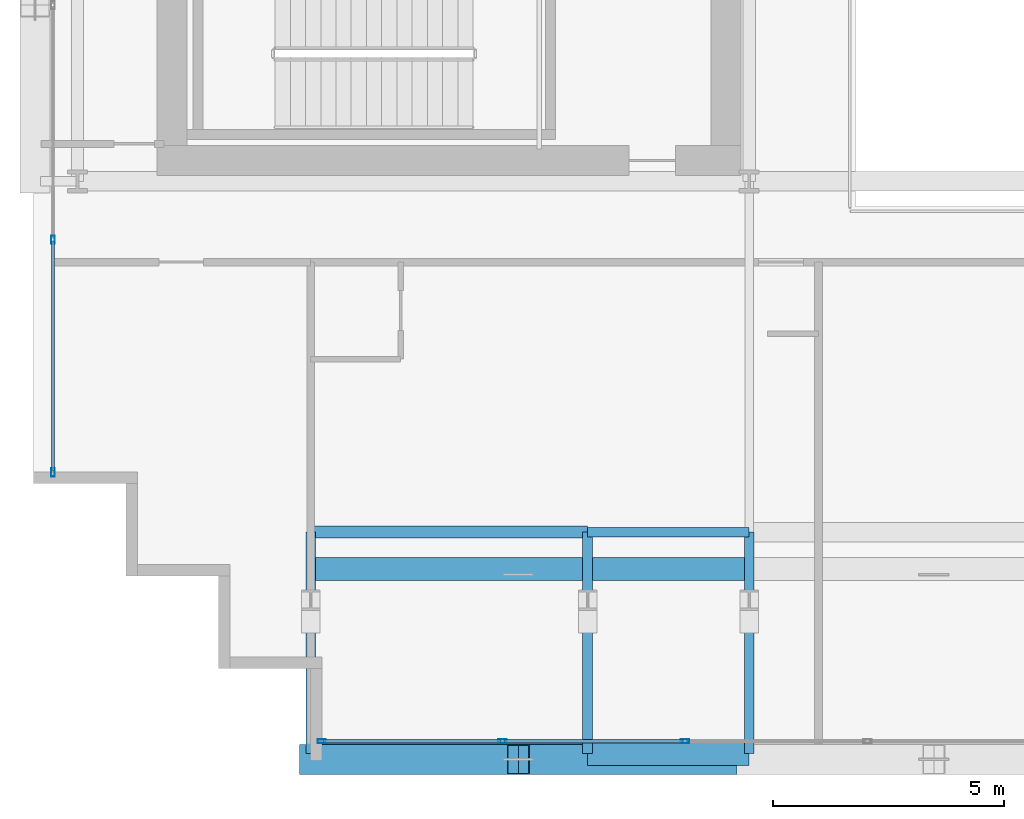
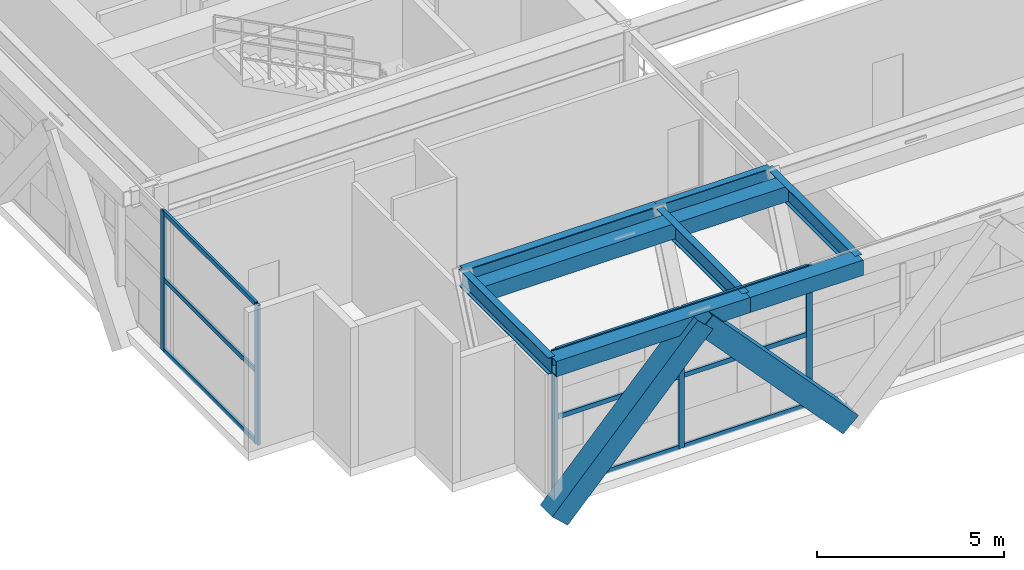
# One storey, part 2 of 35: 16 members, 9 beams, 2 elements without a shape of their own.
"""IFC4 building model written with IfcOpenShell, lengths in metres."""

from ifc_helpers import new_model, si_unit, direction, frame, origin, origin_2d, place, context, subcontext, project, spatial, hollow_rectangle, i_section, extrude, source, transform, mapped, material, layer, layer_set, material_profile, profile_set, type_object, element, aggregate, save


model = new_model("IFC4")

# Units and contexts
model_context = context("Model", 3, precision=1e-05, world=origin(), true_north=direction((0.0, 1.0)))
body_context = subcontext(model_context, "Body", "Model", "MODEL_VIEW")
ifc_project = project(units=[si_unit("LENGTHUNIT", "METRE"), si_unit("AREAUNIT", "SQUARE_METRE"), si_unit("VOLUMEUNIT", "CUBIC_METRE"), si_unit("PLANEANGLEUNIT", "RADIAN"), si_unit("MASSUNIT", "GRAM", prefix="KILO")], contexts=[model_context])

# Site, building, storey
site_placement = place(None, origin())
site = spatial("IfcSite", under=ifc_project, at=site_placement, CompositionType="ELEMENT")
building_placement = place(site_placement, origin())
building = spatial("IfcBuilding", under=site, at=building_placement, Name="Ocotamira Hotel", CompositionType="ELEMENT")
storey_placement = place(building_placement, frame((0.0, 0.0, 158.39990234375)))
storey = spatial("IfcBuildingStorey", under=building, at=storey_placement, Name="L39", CompositionType="ELEMENT", Elevation=158.39990234375)

# Beams
ifc_material_1 = material(Name="Steel ASTM A992 Grade 50", Category="steel")
ifc_material_profile_1 = material_profile(ifc_material_1, i_section(OverallWidth=0.256103515625, OverallDepth=0.693115234375, WebThickness=0.014404296875, FlangeThickness=0.023681640625, FilletRadius=0.01611328125, at=origin_2d()), Name="W27X114")
ifc_profile_set_1 = profile_set([ifc_material_profile_1], Name="Steel ASTM A992 Grade 50")
beam_type_1 = type_object("IfcBeamType", Name="BM-PRIM-W27X114", PredefinedType="BEAM", material=ifc_profile_set_1)
shared_shape_1 = source(origin(), body_context, "Body", "SweptSolid", [
    extrude(i_section(OverallWidth=0.256103515625, OverallDepth=0.693115234375, WebThickness=0.014404296875, FlangeThickness=0.023681640625, FilletRadius=0.01611328125, at=origin_2d()), origin(), (0.0, 0.0, 1.0), 6.0),
])
beam_1_placement = place(storey_placement, frame((14.0, 6.949951171875, 4.2236328125), z_axis=(1.0, 0.0, 0.0), x_axis=(0.0, 1.0, 0.0)))
element("IfcBeam", 1, at=beam_1_placement, inside=storey, type_object=beam_type_1, Name="L39 Girder Y6.95 X14-20", PredefinedType="BEAM", context=body_context, shape_type="MappedRepresentation", body=[
    mapped(shared_shape_1, transform((0.0, 0.0, 0.0), scale=1.0)),
])
ifc_material_profile_2 = material_profile(ifc_material_1, i_section(OverallWidth=0.2099609375, OverallDepth=0.537109375, WebThickness=0.010986328125, FlangeThickness=0.017333984375, FilletRadius=0.012939453125, at=origin_2d()), Name="W21X68")
ifc_profile_set_2 = profile_set([ifc_material_profile_2], Name="Steel ASTM A992 Grade 50")
beam_type_2 = type_object("IfcBeamType", Name="BM-SEC-W21X68", PredefinedType="JOIST", material=ifc_profile_set_2)
shared_shape_2 = source(origin(), body_context, "Body", "SweptSolid", [
    extrude(i_section(OverallWidth=0.2099609375, OverallDepth=0.537109375, WebThickness=0.010986328125, FlangeThickness=0.017333984375, FilletRadius=0.012939453125, at=origin_2d()), origin(), (0.0, 0.0, 1.0), 3.5),
])
beam_2_placement = place(storey_placement, frame((20.0, 6.949951171875, 4.301513671875), z_axis=(1.0, 0.0, 0.0), x_axis=(0.0, 1.0, 0.0)))
element("IfcBeam", 2, at=beam_2_placement, inside=storey, type_object=beam_type_2, Name="L39 Girder Y6.95 X20-23.5", PredefinedType="JOIST", context=body_context, shape_type="MappedRepresentation", body=[
    mapped(shared_shape_2, transform((0.0, 0.0, 0.0), scale=1.0)),
])
ifc_material_2 = material(Name="Steel ASTM A500 Grade C", Category="steel")
ifc_material_profile_3 = material_profile(ifc_material_2, hollow_rectangle(XDim=0.5, YDim=0.5, WallThickness=0.02001953125, at=origin_2d()), Name="HSS500X500X20")
ifc_profile_set_3 = profile_set([ifc_material_profile_3], Name="Steel ASTM A500 Grade C")
beam_type_3 = type_object("IfcBeamType", Name="BM-SPAN-HSS500", PredefinedType="USERDEFINED", material=ifc_profile_set_3)
shared_shape_3 = source(origin(), body_context, "Body", "SweptSolid", [
    extrude(hollow_rectangle(XDim=0.5, YDim=0.5, WallThickness=0.02001953125, at=origin_2d()), origin(), (0.0, 0.0, 1.0), 6.0),
])
for number, where, z_axis, x_axis, name in (
    (3, (14.0, 6.14990234375, 4.320068359375), (1.0, 0.0, 0.0), (0.0, 1.0, 0.0), "L39 Inner Setback Spandrel S X14"),
    (4, (14.0, 2.14990234375, 4.320068359375), (1.0, 0.0, 0.0), (0.0, 1.0, 0.0), "L39 Edge Spandrel S X14-20"),
):
    element("IfcBeam", number, at=place(storey_placement, frame(where, z_axis=z_axis, x_axis=x_axis)), inside=storey, type_object=beam_type_3, Name=name, ObjectType="SPANDREL", PredefinedType="USERDEFINED", context=body_context, shape_type="MappedRepresentation", body=[
        mapped(shared_shape_3, transform((0.0, 0.0, 0.0), scale=1.0)),
    ])
shared_shape_4 = source(origin(), body_context, "Body", "SweptSolid", [
    extrude(hollow_rectangle(XDim=0.5, YDim=0.5, WallThickness=0.02001953125, at=origin_2d()), origin(), (0.0, 0.0, 1.0), 3.5),
])
for number, where, z_axis, x_axis, name in (
    (5, (20.0, 6.14990234375, 4.320068359375), (1.0, 0.0, 0.0), (0.0, 1.0, 0.0), "L39 Inner Setback Spandrel S X20"),
    (6, (20.0, 2.14990234375, 4.320068359375), (1.0, 0.0, 0.0), (0.0, 1.0, 0.0), "L39 Edge Spandrel S X20-23.5"),
):
    element("IfcBeam", number, at=place(storey_placement, frame(where, z_axis=z_axis, x_axis=x_axis)), inside=storey, type_object=beam_type_3, Name=name, ObjectType="SPANDREL", PredefinedType="USERDEFINED", context=body_context, shape_type="MappedRepresentation", body=[
        mapped(shared_shape_4, transform((0.0, 0.0, 0.0), scale=1.0)),
    ])
shared_shape_5 = source(origin(), body_context, "Body", "SweptSolid", [
    extrude(i_section(OverallWidth=0.2099609375, OverallDepth=0.537109375, WebThickness=0.010986328125, FlangeThickness=0.017333984375, FilletRadius=0.012939453125, at=origin_2d()), origin(), (0.0, 0.0, 1.0), 4.800048828125),
])
for number, where, z_axis, x_axis, name in (
    (7, (14.0, 6.949951171875, 4.301513671875), (0.0, -1.0, 0.0), (1.0, 0.0, 0.0), "L39 South Edge Header X14"),
    (8, (20.0, 6.949951171875, 4.301513671875), (0.0, -1.0, 0.0), (1.0, 0.0, 0.0), "L39 South Edge Header X20"),
    (9, (23.5, 6.949951171875, 4.301513671875), (0.0, -1.0, 0.0), (1.0, 0.0, 0.0), "L39 South Edge Header X23.5"),
):
    element("IfcBeam", number, at=place(storey_placement, frame(where, z_axis=z_axis, x_axis=x_axis)), inside=storey, type_object=beam_type_2, Name=name, PredefinedType="JOIST", context=body_context, shape_type="MappedRepresentation", body=[
        mapped(shared_shape_5, transform((0.0, 0.0, 0.0), scale=1.0)),
    ])

# Members
ifc_material_3 = material(Name="Pale-metal coated steel ASTM A913 Grade 65", Category="steel")
ifc_material_profile_4 = material_profile(ifc_material_3, hollow_rectangle(XDim=0.64990234375, YDim=0.64990234375, WallThickness=0.02197265625, at=origin_2d()), Name="BOX650X650X22")
ifc_profile_set_4 = profile_set([ifc_material_profile_4], Name="Pale-metal coated steel ASTM A913 Grade 65")
member_type_1 = type_object("IfcMemberType", Name="MEM-EXO-BOX650", PredefinedType="BRACE", material=ifc_profile_set_4)
shared_shape_6 = source(origin(), body_context, "Body", "SweptSolid", [
    extrude(hollow_rectangle(XDim=0.64990234375, YDim=0.64990234375, WallThickness=0.02197265625, at=origin_2d()), origin(), (0.0, 0.0, 1.0), 6.615966796875),
])
for number, where, z_axis, x_axis, name in (
    (10, (14.0, 2.030029296875, -0.52978515625), (0.680172214763, 0.0, 0.73305235711), (0.0, 1.0, 0.0), "L39 Exoskeleton Diagrid S0.1"),
    (11, (23.0, 2.030029296875, -0.52978515625), (-0.680172214763, 0.0, 0.73305235711), (0.0, -1.0, 0.0), "L39 Exoskeleton Diagrid S0.2"),
):
    element("IfcMember", number, at=place(storey_placement, frame(where, z_axis=z_axis, x_axis=x_axis)), inside=storey, type_object=member_type_1, Name=name, PredefinedType="BRACE", context=body_context, shape_type="MappedRepresentation", body=[
        mapped(shared_shape_6, transform((0.0, 0.0, 0.0), scale=1.0)),
    ])

# Curtain wall, members
ifc_material_4 = material(Name="Anodised pale-metal aluminium and solar glass", Category="aluminium")
ifc_layer = layer(ifc_material_4, 0.239990234375)
ifc_layer_set = layer_set([ifc_layer], Name="Anodised pale-metal aluminium and solar glass")
curtain_wall_type = type_object("IfcCurtainWallType", Name="CW-SYS5-SKY", PredefinedType="NOTDEFINED", material=ifc_layer_set)
curtain_wall_1_placement = place(storey_placement, origin())
curtain_wall_1 = element("IfcCurtainWall", 12, at=curtain_wall_1_placement, inside=storey, type_object=curtain_wall_type, Name="L39 Curtain Wall CW-5 CW-L39-S1", PredefinedType="NOTDEFINED")
ifc_material_5 = material(Name="Anodised pale-metal aluminium 6063-T6", Category="aluminium")
ifc_material_profile_5 = material_profile(ifc_material_5, hollow_rectangle(XDim=0.074951171875, YDim=0.14990234375, WallThickness=0.006103515625, at=origin_2d()), Name="HSS150X75X6")
ifc_profile_set_5 = profile_set([ifc_material_profile_5], Name="Anodised pale-metal aluminium 6063-T6")
member_type_2 = type_object("IfcMemberType", Name="CWT-150X75", PredefinedType="USERDEFINED", material=ifc_profile_set_5)
shared_shape_7 = source(origin(), body_context, "Body", "SweptSolid", [
    extrude(hollow_rectangle(XDim=0.074951171875, YDim=0.14990234375, WallThickness=0.006103515625, at=origin_2d()), origin(), (0.0, 0.0, 1.0), 3.83544921875),
])
member_1_placement = place(storey_placement, frame((14.280029296875, 2.419921875, 0.03759765625), z_axis=(1.0, 0.0, 0.0), x_axis=(0.0, 1.0, 0.0)))
member_1 = element("IfcMember", 13, at=member_1_placement, type_object=member_type_2, Name="CW-5 transom 1.1", ObjectType="TRANSOM", PredefinedType="USERDEFINED", context=body_context, shape_type="MappedRepresentation", body=[
    mapped(shared_shape_7, transform((0.0, 0.0, 0.0), scale=1.0)),
])
member_2_placement = place(storey_placement, frame((14.280029296875, 2.419921875, 2.35009765625), z_axis=(1.0, 0.0, 0.0), x_axis=(0.0, 1.0, 0.0)))
member_2 = element("IfcMember", 14, at=member_2_placement, type_object=member_type_2, Name="CW-5 transom 1.2", ObjectType="TRANSOM", PredefinedType="USERDEFINED", context=body_context, shape_type="MappedRepresentation", body=[
    mapped(shared_shape_7, transform((0.0, 0.0, 0.0), scale=1.0)),
])
member_3_placement = place(storey_placement, frame((14.280029296875, 2.419921875, 4.53271484375), z_axis=(1.0, 0.0, 0.0), x_axis=(0.0, 1.0, 0.0)))
member_3 = element("IfcMember", 15, at=member_3_placement, type_object=member_type_2, Name="CW-5 transom 1.3", ObjectType="TRANSOM", PredefinedType="USERDEFINED", context=body_context, shape_type="MappedRepresentation", body=[
    mapped(shared_shape_7, transform((0.0, 0.0, 0.0), scale=1.0)),
])
shared_shape_8 = source(origin(), body_context, "Body", "SweptSolid", [
    extrude(hollow_rectangle(XDim=0.074951171875, YDim=0.14990234375, WallThickness=0.006103515625, at=origin_2d()), origin(), (0.0, 0.0, 1.0), 3.87548828125),
])
member_4_placement = place(storey_placement, frame((18.195556640625, 2.419921875, 0.03759765625), z_axis=(1.0, 0.0, 0.0), x_axis=(0.0, 1.0, 0.0)))
member_4 = element("IfcMember", 16, at=member_4_placement, type_object=member_type_2, Name="CW-5 transom 2.1", ObjectType="TRANSOM", PredefinedType="USERDEFINED", context=body_context, shape_type="MappedRepresentation", body=[
    mapped(shared_shape_8, transform((0.0, 0.0, 0.0), scale=1.0)),
])
member_5_placement = place(storey_placement, frame((18.195556640625, 2.419921875, 2.35009765625), z_axis=(1.0, 0.0, 0.0), x_axis=(0.0, 1.0, 0.0)))
member_5 = element("IfcMember", 17, at=member_5_placement, type_object=member_type_2, Name="CW-5 transom 2.2", ObjectType="TRANSOM", PredefinedType="USERDEFINED", context=body_context, shape_type="MappedRepresentation", body=[
    mapped(shared_shape_8, transform((0.0, 0.0, 0.0), scale=1.0)),
])
member_6_placement = place(storey_placement, frame((18.195556640625, 2.419921875, 4.53271484375), z_axis=(1.0, 0.0, 0.0), x_axis=(0.0, 1.0, 0.0)))
member_6 = element("IfcMember", 18, at=member_6_placement, type_object=member_type_2, Name="CW-5 transom 2.3", ObjectType="TRANSOM", PredefinedType="USERDEFINED", context=body_context, shape_type="MappedRepresentation", body=[
    mapped(shared_shape_8, transform((0.0, 0.0, 0.0), scale=1.0)),
])

curtain_wall_2_placement = place(storey_placement, origin())
curtain_wall_2 = element("IfcCurtainWall", 19, at=curtain_wall_2_placement, inside=storey, type_object=curtain_wall_type, Name="L39 Curtain Wall CW-5 CW-L39-W", PredefinedType="NOTDEFINED")
shared_shape_9 = source(origin(), body_context, "Body", "SweptSolid", [
    extrude(hollow_rectangle(XDim=0.074951171875, YDim=0.14990234375, WallThickness=0.006103515625, at=origin_2d()), origin(), (0.0, 0.0, 1.0), 4.965576171875),
])
member_7_placement = place(storey_placement, frame((8.419921875, 8.280029296875, 0.03759765625), z_axis=(0.0, 1.0, 0.0), x_axis=(-1.0, 0.0, 0.0)))
member_7 = element("IfcMember", 20, at=member_7_placement, type_object=member_type_2, Name="CW-5 transom 1.1", ObjectType="TRANSOM", PredefinedType="USERDEFINED", context=body_context, shape_type="MappedRepresentation", body=[
    mapped(shared_shape_9, transform((0.0, 0.0, 0.0), scale=1.0)),
])
member_8_placement = place(storey_placement, frame((8.419921875, 8.280029296875, 2.35009765625), z_axis=(0.0, 1.0, 0.0), x_axis=(-1.0, 0.0, 0.0)))
member_8 = element("IfcMember", 21, at=member_8_placement, type_object=member_type_2, Name="CW-5 transom 1.2", ObjectType="TRANSOM", PredefinedType="USERDEFINED", context=body_context, shape_type="MappedRepresentation", body=[
    mapped(shared_shape_9, transform((0.0, 0.0, 0.0), scale=1.0)),
])
member_9_placement = place(storey_placement, frame((8.419921875, 8.280029296875, 4.53271484375), z_axis=(0.0, 1.0, 0.0), x_axis=(-1.0, 0.0, 0.0)))
member_9 = element("IfcMember", 22, at=member_9_placement, type_object=member_type_2, Name="CW-5 transom 1.3", ObjectType="TRANSOM", PredefinedType="USERDEFINED", context=body_context, shape_type="MappedRepresentation", body=[
    mapped(shared_shape_9, transform((0.0, 0.0, 0.0), scale=1.0)),
])

# Member
ifc_material_profile_6 = material_profile(ifc_material_5, hollow_rectangle(XDim=0.080078125, YDim=0.179931640625, WallThickness=0.006103515625, at=origin_2d()), Name="HSS180X80X6")
ifc_profile_set_6 = profile_set([ifc_material_profile_6], Name="Anodised pale-metal aluminium 6063-T6")
member_type_3 = type_object("IfcMemberType", Name="CWM-180X75", PredefinedType="MULLION", material=ifc_profile_set_6)
shared_shape_10 = source(origin(), body_context, "Body", "SweptSolid", [
    extrude(hollow_rectangle(XDim=0.080078125, YDim=0.179931640625, WallThickness=0.006103515625, at=origin_2d()), origin(), (0.0, 0.0, 1.0), 4.570068359375),
])
member_10_placement = place(storey_placement, frame((14.239990234375, 2.419921875, 0.0), z_axis=(0.0, 0.0, 1.0), x_axis=(0.0, 1.0, 0.0)))
member_10 = element("IfcMember", 23, at=member_10_placement, type_object=member_type_3, Name="CW-5 mullion 1", PredefinedType="MULLION", context=body_context, shape_type="MappedRepresentation", body=[
    mapped(shared_shape_10, transform((0.0, 0.0, 0.0), scale=1.0)),
])

member_11_placement = place(storey_placement, frame((18.155517578125, 2.419921875, 0.0), z_axis=(0.0, 0.0, 1.0), x_axis=(0.0, 1.0, 0.0)))
member_11 = element("IfcMember", 24, at=member_11_placement, type_object=member_type_3, Name="CW-5 mullion 2", PredefinedType="MULLION", context=body_context, shape_type="MappedRepresentation", body=[
    mapped(shared_shape_10, transform((0.0, 0.0, 0.0), scale=1.0)),
])

member_12_placement = place(storey_placement, frame((22.111083984375, 2.419921875, 0.0), z_axis=(0.0, 0.0, 1.0), x_axis=(0.0, 1.0, 0.0)))
member_12 = element("IfcMember", 25, at=member_12_placement, type_object=member_type_3, Name="CW-5 mullion 3", PredefinedType="MULLION", context=body_context, shape_type="MappedRepresentation", body=[
    mapped(shared_shape_10, transform((0.0, 0.0, 0.0), scale=1.0)),
])

aggregate(curtain_wall_1, [member_10, member_11, member_12, member_1, member_2, member_3, member_4, member_5, member_6])

member_13_placement = place(storey_placement, frame((8.419921875, 8.239990234375, 0.0), z_axis=(0.0, 0.0, 1.0), x_axis=(-1.0, 0.0, 0.0)))
member_13 = element("IfcMember", 26, at=member_13_placement, type_object=member_type_3, Name="CW-5 mullion 1", PredefinedType="MULLION", context=body_context, shape_type="MappedRepresentation", body=[
    mapped(shared_shape_10, transform((0.0, 0.0, 0.0), scale=1.0)),
])

member_14_placement = place(storey_placement, frame((8.419921875, 13.28564453125, 0.0), z_axis=(0.0, 0.0, 1.0), x_axis=(-1.0, 0.0, 0.0)))
member_14 = element("IfcMember", 27, at=member_14_placement, type_object=member_type_3, Name="CW-5 mullion 2", PredefinedType="MULLION", context=body_context, shape_type="MappedRepresentation", body=[
    mapped(shared_shape_10, transform((0.0, 0.0, 0.0), scale=1.0)),
])

aggregate(curtain_wall_2, [member_13, member_14, member_7, member_8, member_9])

save(model, "model.ifc")
